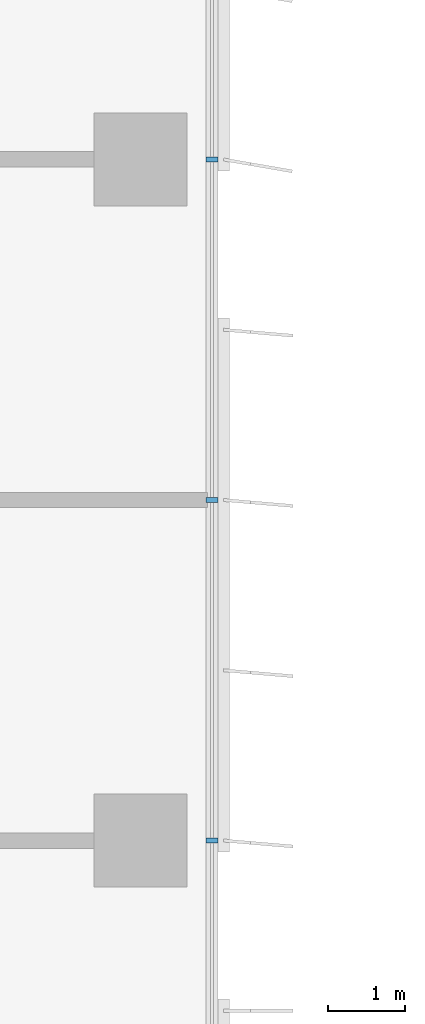
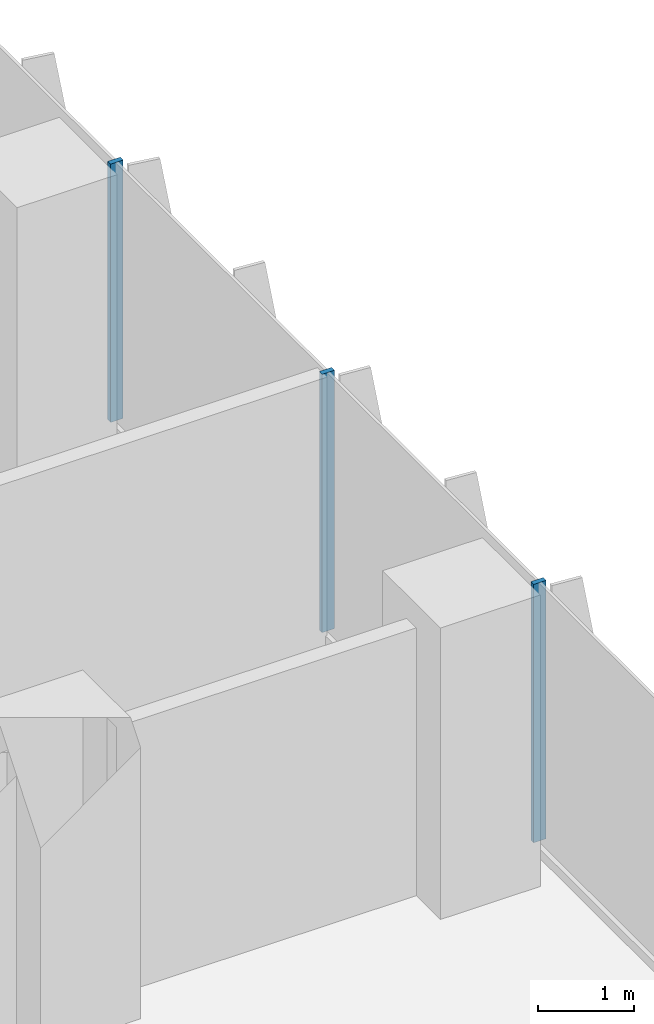
# One storey, part 7 of 22: 3 members, 1 element without a shape of its own.
"""IFC4 building model written with IfcOpenShell, lengths in metres."""

from ifc_helpers import new_model, si_unit, direction, frame, origin, origin_2d, place, context, subcontext, project, spatial, rectangle, extrude, source, transform, mapped, material, material_profile, profile_set, type_object, element, aggregate, save


model = new_model("IFC4")

# Units and contexts
model_context = context("Model", 3, precision=1e-05, world=origin(), true_north=direction((0.0, 1.0)))
body_context = subcontext(model_context, "Body", "Model", "MODEL_VIEW")
ifc_project = project(units=[si_unit("LENGTHUNIT", "METRE"), si_unit("AREAUNIT", "SQUARE_METRE"), si_unit("VOLUMEUNIT", "CUBIC_METRE"), si_unit("PLANEANGLEUNIT", "RADIAN"), si_unit("MASSUNIT", "GRAM", prefix="KILO")], contexts=[model_context])

# Site, building, storey
site_placement = place(None, origin())
site = spatial("IfcSite", under=ifc_project, at=site_placement, CompositionType="ELEMENT")
building_placement = place(site_placement, origin())
building = spatial("IfcBuilding", under=site, at=building_placement, Name="Kemantara Hotel Tower", CompositionType="ELEMENT")
storey_placement = place(building_placement, frame((0.0, 0.0, 94.5)))
storey = spatial("IfcBuildingStorey", under=building, at=storey_placement, Name="L22", CompositionType="ELEMENT", Elevation=94.5)

# Curtain wall, members
ifc_material_1 = material(Name="Low-E tinted double insulated glass 36 mm", Category="glass")
curtain_wall_type = type_object("IfcCurtainWallType", Name="TOWER CURTAIN WALL, FRONT FACES", PredefinedType="USERDEFINED", material=ifc_material_1)
curtain_wall_placement = place(storey_placement, origin())
curtain_wall = element("IfcCurtainWall", 1, at=curtain_wall_placement, inside=storey, type_object=curtain_wall_type, Name="CW4 L22 T2-R14-1", ObjectType="TOWER CURTAIN WALL, FRONT FACES", PredefinedType="USERDEFINED")
ifc_material_2 = material(Name="Aluminium 6063-T6 bronze anodised", Category="aluminium")
ifc_material_profile = material_profile(ifc_material_2, rectangle(XDim=0.14990234375, YDim=0.06005859375, at=origin_2d()), Name="TOWER CURTAIN WALL, FRONT FACES MULLION")
ifc_profile_set = profile_set([ifc_material_profile], Name="Aluminium 6063-T6 bronze anodised")
member_type = type_object("IfcMemberType", Name="TOWER CURTAIN WALL, FRONT FACES MULLION", PredefinedType="MULLION", material=ifc_profile_set)
shared_shape = source(origin(), body_context, "Body", "SweptSolid", [
    extrude(rectangle(XDim=0.14990234375, YDim=0.06005859375, at=origin_2d()), origin(), (0.0, 0.0, 1.0), 3.27978515625),
])
member_1_placement = place(storey_placement, frame((26.72509765625, 53.800048828125, 0.1201171875), z_axis=(0.0, 0.0, 1.0), x_axis=(-1.0, 0.0, 0.0)))
member_1 = element("IfcMember", 2, at=member_1_placement, type_object=member_type, Name="CW4 mullion T2-R14-1.9", PredefinedType="MULLION", context=body_context, shape_type="MappedRepresentation", body=[
    mapped(shared_shape, transform((0.0, 0.0, 0.0))),
])
member_2_placement = place(storey_placement, frame((26.72509765625, 58.199951171875, 0.1201171875), z_axis=(0.0, 0.0, 1.0), x_axis=(-1.0, 0.0, 0.0)))
member_2 = element("IfcMember", 3, at=member_2_placement, type_object=member_type, Name="CW4 mullion T2-R14-1.10", PredefinedType="MULLION", context=body_context, shape_type="MappedRepresentation", body=[
    mapped(shared_shape, transform((0.0, 0.0, 0.0))),
])
member_3_placement = place(storey_placement, frame((26.72509765625, 62.60009765625, 0.1201171875), z_axis=(0.0, 0.0, 1.0), x_axis=(-1.0, 0.0, 0.0)))
member_3 = element("IfcMember", 4, at=member_3_placement, type_object=member_type, Name="CW4 mullion T2-R14-1.11", PredefinedType="MULLION", context=body_context, shape_type="MappedRepresentation", body=[
    mapped(shared_shape, transform((0.0, 0.0, 0.0))),
])
aggregate(curtain_wall, [member_1, member_2, member_3])

save(model, "model.ifc")
